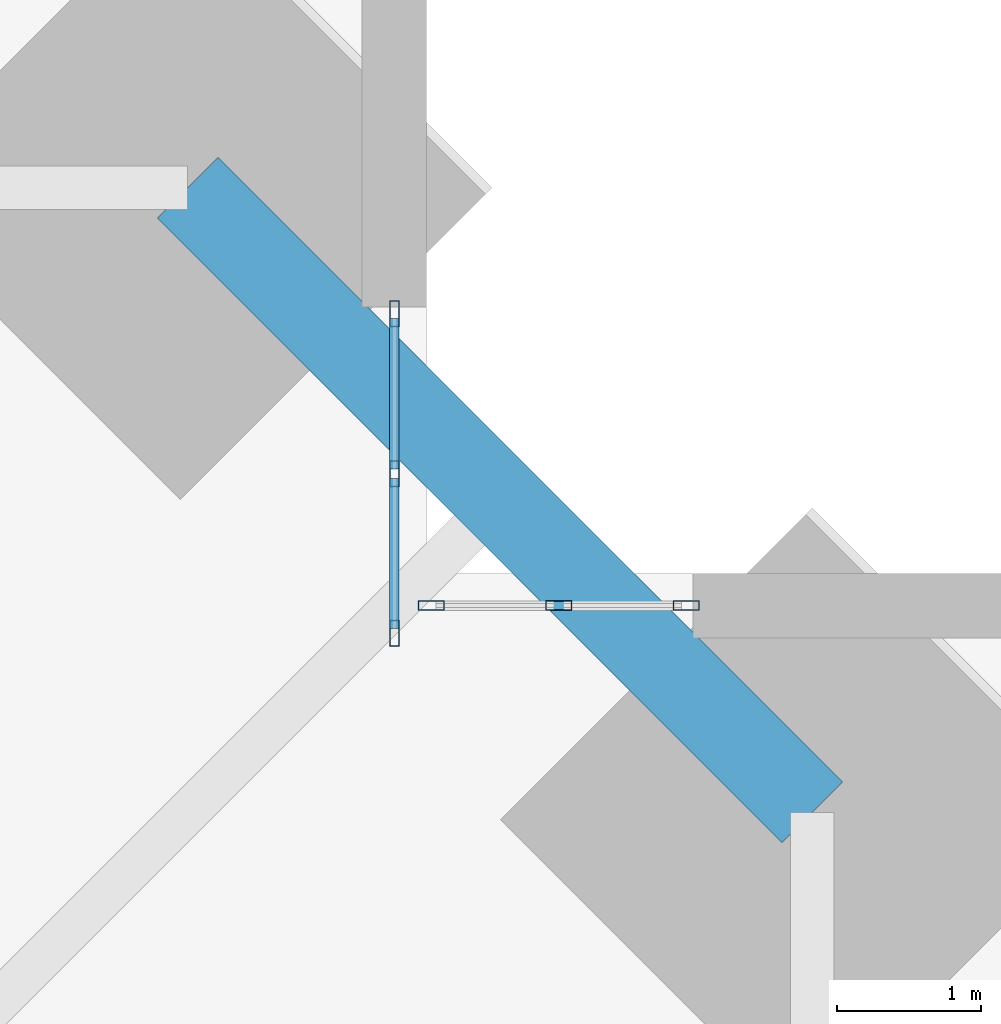
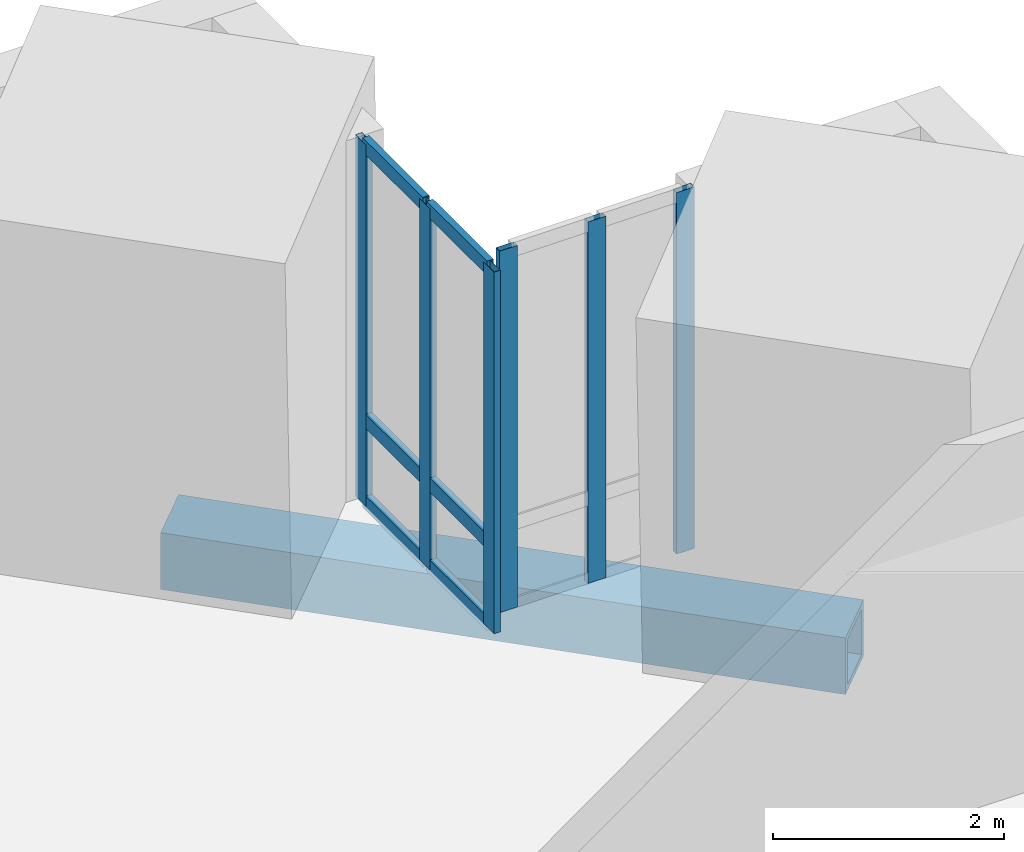
# One storey, part 8 of 15: 12 members, 1 beam, 2 elements without a shape of their own.
"""IFC4 building model written with IfcOpenShell, lengths in metres."""

from ifc_helpers import new_model, si_unit, direction, frame, origin, origin_2d, place, context, subcontext, project, spatial, hollow_rectangle, extrude, material, material_profile, profile_set, type_object, element, aggregate, save


model = new_model("IFC4")

# Units and contexts
model_context = context("Model", 3, precision=1e-05, world=origin(), true_north=direction((0.0, 1.0)))
body_context = subcontext(model_context, "Body", "Model", "MODEL_VIEW")
ifc_project = project(units=[si_unit("LENGTHUNIT", "METRE"), si_unit("AREAUNIT", "SQUARE_METRE"), si_unit("VOLUMEUNIT", "CUBIC_METRE"), si_unit("PLANEANGLEUNIT", "RADIAN"), si_unit("MASSUNIT", "GRAM", prefix="KILO")], contexts=[model_context])

# Site, building, storey
site_placement = place(None, origin())
site = spatial("IfcSite", under=ifc_project, at=site_placement, CompositionType="ELEMENT")
building_placement = place(site_placement, origin())
building = spatial("IfcBuilding", under=site, at=building_placement, Name="Peilmerk Tower", CompositionType="ELEMENT")
storey_placement = place(building_placement, frame((0.0, 0.0, 245.800048828125)))
storey = spatial("IfcBuildingStorey", under=building, at=storey_placement, Name="L54", CompositionType="ELEMENT", Elevation=245.800048828125)

# Beam
ifc_material_1 = material(Name="Steel S460", Category="steel")
ifc_material_profile_1 = material_profile(ifc_material_1, hollow_rectangle(XDim=0.60009765625, YDim=0.60009765625, WallThickness=0.06005859375, at=origin_2d()), Name="BOX 600x600x60")
ifc_profile_set_1 = profile_set([ifc_material_profile_1], Name="Steel S460")
beam_type = type_object("IfcBeamType", Name="B20 BOX 600x600x60 notch beam", PredefinedType="SPANDREL", material=ifc_profile_set_1)
beam_placement = place(storey_placement, frame((16.635498046875, 20.985595703125, -0.469970703125), z_axis=(0.707106781187, -0.707106781187, 0.0), x_axis=(0.707106781187, 0.707106781187, 0.0)))
element("IfcBeam", 1, at=beam_placement, inside=storey, type_object=beam_type, Name="Notch beam L54", PredefinedType="SPANDREL", context=body_context, shape_type="SweptSolid", body=[
    extrude(hollow_rectangle(XDim=0.60009765625, YDim=0.60009765625, WallThickness=0.06005859375, at=origin_2d()), origin(), (0.0, 0.0, 1.0), 6.15185546875),
])

# Curtain wall, members
ifc_material_2 = material(Name="Aluminium stick curtain wall", Category="aluminium")
curtain_wall_type = type_object("IfcCurtainWallType", Name="CW4 stick curtain wall, 2250 module", PredefinedType="NOTDEFINED", material=ifc_material_2)
curtain_wall_1_placement = place(storey_placement, origin())
curtain_wall_1 = element("IfcCurtainWall", 2, at=curtain_wall_1_placement, inside=storey, type_object=curtain_wall_type, Name="Curtain wall CW4 NEA L54", PredefinedType="NOTDEFINED")
ifc_material_3 = material(Name="Aluminium EN AW-6063 T6", Category="aluminium")
ifc_material_profile_2 = material_profile(ifc_material_3, hollow_rectangle(XDim=0.06494140625, YDim=0.179931640625, WallThickness=0.0029296875, at=origin_2d()), Name="AL 180x65x3")
ifc_profile_set_2 = profile_set([ifc_material_profile_2], Name="Aluminium EN AW-6063 T6")
member_type_1 = type_object("IfcMemberType", Name="CW4-M AL 180x65x3 mullion", PredefinedType="MULLION", material=ifc_profile_set_2)
member_1_placement = place(storey_placement, frame((18.074951171875, 17.882568359375, 0.0), z_axis=(0.0, 0.0, 1.0), x_axis=(-1.0, 0.0, 0.0)))
member_1 = element("IfcMember", 3, at=member_1_placement, type_object=member_type_1, Name="CW4 mullion 1", PredefinedType="MULLION", context=body_context, shape_type="SweptSolid", body=[
    extrude(hollow_rectangle(XDim=0.06494140625, YDim=0.179931640625, WallThickness=0.0029296875, at=origin_2d()), origin(), (0.0, 0.0, 1.0), 3.829833984375),
])
member_2_placement = place(storey_placement, frame((18.074951171875, 18.994384765625, 0.0), z_axis=(0.0, 0.0, 1.0), x_axis=(-1.0, 0.0, 0.0)))
member_2 = element("IfcMember", 4, at=member_2_placement, type_object=member_type_1, Name="CW4 mullion 2", PredefinedType="MULLION", context=body_context, shape_type="SweptSolid", body=[
    extrude(hollow_rectangle(XDim=0.06494140625, YDim=0.179931640625, WallThickness=0.0029296875, at=origin_2d()), origin(), (0.0, 0.0, 1.0), 3.829833984375),
])
member_3_placement = place(storey_placement, frame((18.074951171875, 20.106201171875, 0.0), z_axis=(0.0, 0.0, 1.0), x_axis=(-1.0, 0.0, 0.0)))
member_3 = element("IfcMember", 5, at=member_3_placement, type_object=member_type_1, Name="CW4 mullion 3", PredefinedType="MULLION", context=body_context, shape_type="SweptSolid", body=[
    extrude(hollow_rectangle(XDim=0.06494140625, YDim=0.179931640625, WallThickness=0.0029296875, at=origin_2d()), origin(), (0.0, 0.0, 1.0), 3.829833984375),
])

curtain_wall_2_placement = place(storey_placement, origin())
curtain_wall_2 = element("IfcCurtainWall", 6, at=curtain_wall_2_placement, inside=storey, type_object=curtain_wall_type, Name="Curtain wall CW4 NEB L54", PredefinedType="NOTDEFINED")
member_4_placement = place(storey_placement, frame((18.33251953125, 18.074951171875, 0.0), z_axis=(0.0, 0.0, 1.0), x_axis=(0.0, 1.0, 0.0)))
member_4 = element("IfcMember", 7, at=member_4_placement, type_object=member_type_1, Name="CW4 mullion 1", PredefinedType="MULLION", context=body_context, shape_type="SweptSolid", body=[
    extrude(hollow_rectangle(XDim=0.06494140625, YDim=0.179931640625, WallThickness=0.0029296875, at=origin_2d()), origin(), (0.0, 0.0, 1.0), 3.829833984375),
])
member_5_placement = place(storey_placement, frame((19.21923828125, 18.074951171875, 0.0), z_axis=(0.0, 0.0, 1.0), x_axis=(0.0, 1.0, 0.0)))
member_5 = element("IfcMember", 8, at=member_5_placement, type_object=member_type_1, Name="CW4 mullion 2", PredefinedType="MULLION", context=body_context, shape_type="SweptSolid", body=[
    extrude(hollow_rectangle(XDim=0.06494140625, YDim=0.179931640625, WallThickness=0.0029296875, at=origin_2d()), origin(), (0.0, 0.0, 1.0), 3.829833984375),
])
member_6_placement = place(storey_placement, frame((20.106201171875, 18.074951171875, 0.0), z_axis=(0.0, 0.0, 1.0), x_axis=(0.0, 1.0, 0.0)))
member_6 = element("IfcMember", 9, at=member_6_placement, type_object=member_type_1, Name="CW4 mullion 3", PredefinedType="MULLION", context=body_context, shape_type="SweptSolid", body=[
    extrude(hollow_rectangle(XDim=0.06494140625, YDim=0.179931640625, WallThickness=0.0029296875, at=origin_2d()), origin(), (0.0, 0.0, 1.0), 3.829833984375),
])
aggregate(curtain_wall_2, [member_4, member_5, member_6])

# Member
ifc_material_profile_3 = material_profile(ifc_material_3, hollow_rectangle(XDim=0.06494140625, YDim=0.14990234375, WallThickness=0.0029296875, at=origin_2d()), Name="AL 150x65x3")
ifc_profile_set_3 = profile_set([ifc_material_profile_3], Name="Aluminium EN AW-6063 T6")
member_type_2 = type_object("IfcMemberType", Name="CW4-T AL 150x65x3 transom", PredefinedType="USERDEFINED", material=ifc_profile_set_3)
member_7_placement = place(storey_placement, frame((18.074951171875, 17.9150390625, 0.032470703125), z_axis=(0.0, 1.0, 0.0), x_axis=(-1.0, 0.0, 0.0)))
member_7 = element("IfcMember", 10, at=member_7_placement, type_object=member_type_2, Name="CW4 transom 1.1", ObjectType="TRANSOM", PredefinedType="USERDEFINED", context=body_context, shape_type="SweptSolid", body=[
    extrude(hollow_rectangle(XDim=0.06494140625, YDim=0.14990234375, WallThickness=0.0029296875, at=origin_2d()), origin(), (0.0, 0.0, 1.0), 1.046875),
])

member_8_placement = place(storey_placement, frame((18.074951171875, 17.9150390625, 0.89990234375), z_axis=(0.0, 1.0, 0.0), x_axis=(-1.0, 0.0, 0.0)))
member_8 = element("IfcMember", 11, at=member_8_placement, type_object=member_type_2, Name="CW4 transom 1.2", ObjectType="TRANSOM", PredefinedType="USERDEFINED", context=body_context, shape_type="SweptSolid", body=[
    extrude(hollow_rectangle(XDim=0.06494140625, YDim=0.14990234375, WallThickness=0.0029296875, at=origin_2d()), origin(), (0.0, 0.0, 1.0), 1.046875),
])

member_9_placement = place(storey_placement, frame((18.074951171875, 17.9150390625, 3.79736328125), z_axis=(0.0, 1.0, 0.0), x_axis=(-1.0, 0.0, 0.0)))
member_9 = element("IfcMember", 12, at=member_9_placement, type_object=member_type_2, Name="CW4 transom 1.3", ObjectType="TRANSOM", PredefinedType="USERDEFINED", context=body_context, shape_type="SweptSolid", body=[
    extrude(hollow_rectangle(XDim=0.06494140625, YDim=0.14990234375, WallThickness=0.0029296875, at=origin_2d()), origin(), (0.0, 0.0, 1.0), 1.046875),
])

member_10_placement = place(storey_placement, frame((18.074951171875, 19.02685546875, 0.032470703125), z_axis=(0.0, 1.0, 0.0), x_axis=(-1.0, 0.0, 0.0)))
member_10 = element("IfcMember", 13, at=member_10_placement, type_object=member_type_2, Name="CW4 transom 2.1", ObjectType="TRANSOM", PredefinedType="USERDEFINED", context=body_context, shape_type="SweptSolid", body=[
    extrude(hollow_rectangle(XDim=0.06494140625, YDim=0.14990234375, WallThickness=0.0029296875, at=origin_2d()), origin(), (0.0, 0.0, 1.0), 1.046875),
])

member_11_placement = place(storey_placement, frame((18.074951171875, 19.02685546875, 0.89990234375), z_axis=(0.0, 1.0, 0.0), x_axis=(-1.0, 0.0, 0.0)))
member_11 = element("IfcMember", 14, at=member_11_placement, type_object=member_type_2, Name="CW4 transom 2.2", ObjectType="TRANSOM", PredefinedType="USERDEFINED", context=body_context, shape_type="SweptSolid", body=[
    extrude(hollow_rectangle(XDim=0.06494140625, YDim=0.14990234375, WallThickness=0.0029296875, at=origin_2d()), origin(), (0.0, 0.0, 1.0), 1.046875),
])

member_12_placement = place(storey_placement, frame((18.074951171875, 19.02685546875, 3.79736328125), z_axis=(0.0, 1.0, 0.0), x_axis=(-1.0, 0.0, 0.0)))
member_12 = element("IfcMember", 15, at=member_12_placement, type_object=member_type_2, Name="CW4 transom 2.3", ObjectType="TRANSOM", PredefinedType="USERDEFINED", context=body_context, shape_type="SweptSolid", body=[
    extrude(hollow_rectangle(XDim=0.06494140625, YDim=0.14990234375, WallThickness=0.0029296875, at=origin_2d()), origin(), (0.0, 0.0, 1.0), 1.046875),
])

aggregate(curtain_wall_1, [member_1, member_2, member_3, member_7, member_8, member_9, member_10, member_11, member_12])

save(model, "model.ifc")
